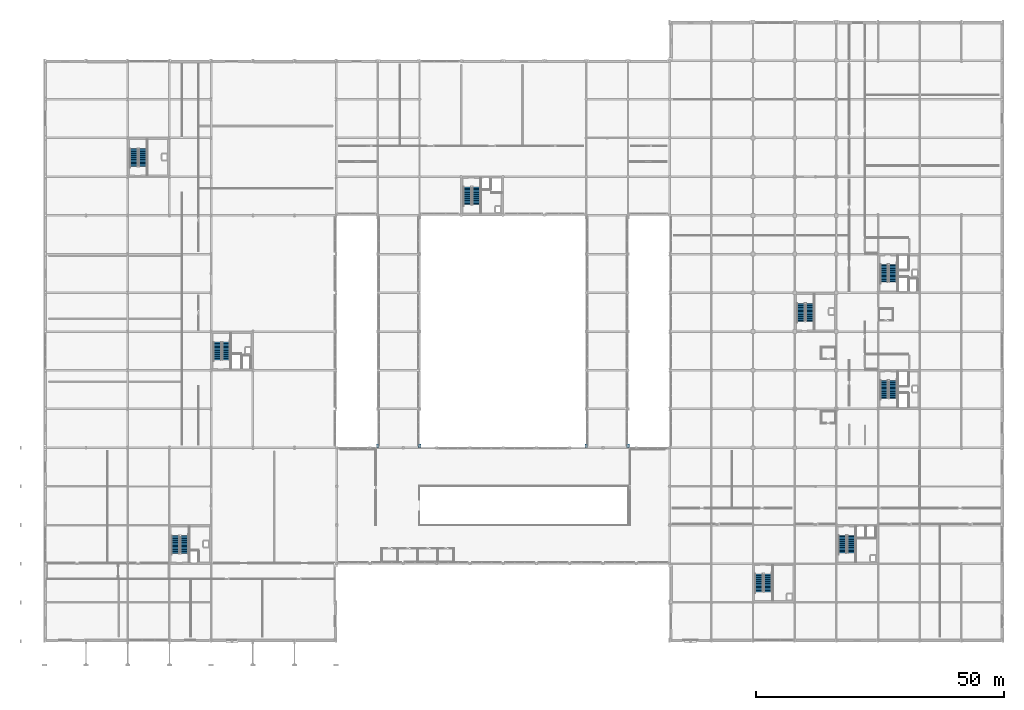
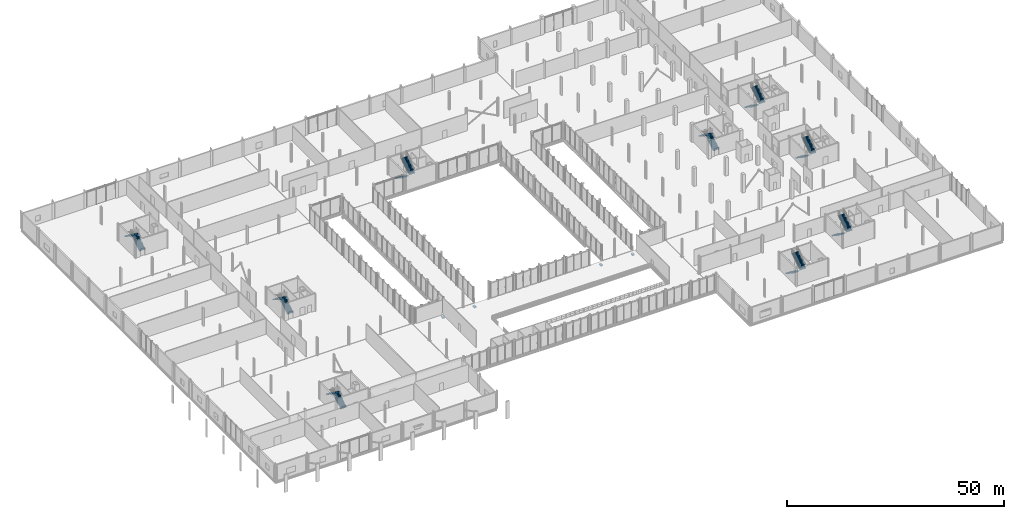
# One storey, part 86 of 105: 18 stair flights, 4 discrete accessories, 9 elements without a shape of their own.
"""IFC4 building model written with IfcOpenShell, lengths in metres."""

from ifc_helpers import new_model, si_unit, direction, frame, origin, origin_2d, place, context, subcontext, project, spatial, polyline, rectangle, outline, extrude, material, layer, layer_set, type_object, element, aggregate, save


model = new_model("IFC4")

# Units and contexts
model_context = context("Model", 3, precision=1e-05, world=origin(), true_north=direction((0.0, 1.0)))
body_context = subcontext(model_context, "Body", "Model", "MODEL_VIEW")
ifc_project = project(units=[si_unit("LENGTHUNIT", "METRE"), si_unit("AREAUNIT", "SQUARE_METRE"), si_unit("VOLUMEUNIT", "CUBIC_METRE"), si_unit("PLANEANGLEUNIT", "RADIAN"), si_unit("MASSUNIT", "GRAM", prefix="KILO")], contexts=[model_context])

# Site, building, storey
site_placement = place(None, origin())
site = spatial("IfcSite", under=ifc_project, at=site_placement, CompositionType="ELEMENT")
building_placement = place(site_placement, origin())
building = spatial("IfcBuilding", under=site, at=building_placement, Name="Nabrawat Pavilion Hospital", CompositionType="ELEMENT")
storey_placement = place(building_placement, frame((0.0, 0.0, 5.10009765625)))
storey = spatial("IfcBuildingStorey", under=building, at=storey_placement, Name="L01", CompositionType="ELEMENT", Elevation=5.10009765625)

# Stair, stair flights
ifc_material_1 = material(Name="Concrete C35/45", Category="concrete")
stair_type_1 = type_object("IfcStairType", Name="Core Dogleg Escape Stair Assembly", PredefinedType="HALF_TURN_STAIR", material=ifc_material_1)
stair_1_placement = place(storey_placement, origin())
stair_1 = element("IfcStair", 1, at=stair_1_placement, inside=storey, type_object=stair_type_1, Name="L01 Emergency Stair and Lift Core 1", PredefinedType="HALF_TURN_STAIR")
stair_flight_type = type_object("IfcStairFlightType", Name="Reinforced Concrete Escape Stair Flight 1600", PredefinedType="STRAIGHT", material=ifc_material_1)
stair_flight_1_placement = place(storey_placement, frame((28.25, 17.669921875, 0.0), z_axis=(0.0, 0.0, 1.0), x_axis=(0.0, 1.0, 0.0)))
stair_flight_1 = element("IfcStairFlight", 2, at=stair_flight_1_placement, type_object=stair_flight_type, Name="ST-01 flight 1", NumberOfRisers=14, NumberOfTreads=13, PredefinedType="STRAIGHT", RiserHeight=0.182142857, TreadLength=0.275, context=body_context, shape_type="SweptSolid", body=[
    extrude(outline(polyline([(-0.008056640625, 0.0), (0.0, 0.0), (0.0, 0.18212890625), (0.27490234375, 0.18212890625), (0.27490234375, 0.3642578125), (0.550048828125, 0.3642578125), (0.550048828125, 0.54638671875), (0.824951171875, 0.54638671875), (0.824951171875, 0.728515625), (1.10009765625, 0.728515625), (1.10009765625, 0.91064453125), (1.375, 0.91064453125), (1.375, 1.0927734375), (1.64990234375, 1.0927734375), (1.64990234375, 1.27490234375), (1.925048828125, 1.27490234375), (1.925048828125, 1.45703125), (2.199951171875, 1.45703125), (2.199951171875, 1.639404296875), (2.47509765625, 1.639404296875), (2.47509765625, 1.821533203125), (2.75, 1.821533203125), (2.75, 2.003662109375), (3.02490234375, 2.003662109375), (3.02490234375, 2.185791015625), (3.300048828125, 2.185791015625), (3.300048828125, 2.367919921875), (3.574951171875, 2.367919921875), (3.574951171875, 2.550048828125), (3.5830078125, 2.550048828125), (3.5830078125, 2.400146484375), (3.574951171875, 2.18798828125), (0.271484375, 0.0), (-0.008056640625, -0.1201171875), (-0.008056640625, 0.0)])), frame((0.0, 0.800048828125, 0.0), z_axis=(0.0, -1.0, 0.0), x_axis=(1.0, 0.0, 0.0)), (0.0, 0.0, 1.0), 1.60009765625),
])
stair_flight_2_placement = place(storey_placement, frame((26.449951171875, 21.2451171875, 2.5498046875), z_axis=(0.0, 0.0, 1.0), x_axis=(0.0, -1.0, 0.0)))
stair_flight_2 = element("IfcStairFlight", 3, at=stair_flight_2_placement, type_object=stair_flight_type, Name="ST-01 flight 2", NumberOfRisers=14, NumberOfTreads=13, PredefinedType="STRAIGHT", RiserHeight=0.182142857, TreadLength=0.275, context=body_context, shape_type="SweptSolid", body=[
    extrude(outline(polyline([(-0.008056640625, 0.0), (0.0, 0.0), (0.0, 0.18212890625), (0.27490234375, 0.18212890625), (0.27490234375, 0.3642578125), (0.550048828125, 0.3642578125), (0.550048828125, 0.54638671875), (0.824951171875, 0.54638671875), (0.824951171875, 0.728515625), (1.10009765625, 0.728515625), (1.10009765625, 0.91064453125), (1.375, 0.91064453125), (1.375, 1.0927734375), (1.64990234375, 1.0927734375), (1.64990234375, 1.27490234375), (1.925048828125, 1.27490234375), (1.925048828125, 1.45703125), (2.199951171875, 1.45703125), (2.199951171875, 1.639404296875), (2.47509765625, 1.639404296875), (2.47509765625, 1.821533203125), (2.75, 1.821533203125), (2.75, 2.003662109375), (3.02490234375, 2.003662109375), (3.02490234375, 2.185791015625), (3.300048828125, 2.185791015625), (3.300048828125, 2.367919921875), (3.574951171875, 2.367919921875), (3.574951171875, 2.550048828125), (3.5830078125, 2.550048828125), (3.5830078125, 2.400146484375), (3.574951171875, 2.18798828125), (0.271484375, 0.0), (-0.008056640625, -0.1201171875), (-0.008056640625, 0.0)])), frame((0.0, 0.800048828125, 0.0), z_axis=(0.0, -1.0, 0.0), x_axis=(1.0, 0.0, 0.0)), (0.0, 0.0, 1.0), 1.60009765625),
])
aggregate(stair_1, [stair_flight_1, stair_flight_2])

stair_2_placement = place(storey_placement, origin())
stair_2 = element("IfcStair", 4, at=stair_2_placement, inside=storey, type_object=stair_type_1, Name="L01 Surgical Stair and Bed-Lift Core 2", PredefinedType="HALF_TURN_STAIR")
stair_flight_3_placement = place(storey_placement, frame((36.64990234375, 56.669921875, 0.0), z_axis=(0.0, 0.0, 1.0), x_axis=(0.0, 1.0, 0.0)))
stair_flight_3 = element("IfcStairFlight", 5, at=stair_flight_3_placement, type_object=stair_flight_type, Name="ST-02 flight 1", NumberOfRisers=14, NumberOfTreads=13, PredefinedType="STRAIGHT", RiserHeight=0.182142857, TreadLength=0.275, context=body_context, shape_type="SweptSolid", body=[
    extrude(outline(polyline([(-0.008056640625, 0.0), (0.0, 0.0), (0.0, 0.18212890625), (0.27490234375, 0.18212890625), (0.27490234375, 0.3642578125), (0.550048828125, 0.3642578125), (0.550048828125, 0.54638671875), (0.824951171875, 0.54638671875), (0.824951171875, 0.728515625), (1.10009765625, 0.728515625), (1.10009765625, 0.91064453125), (1.375, 0.91064453125), (1.375, 1.0927734375), (1.64990234375, 1.0927734375), (1.64990234375, 1.27490234375), (1.925048828125, 1.27490234375), (1.925048828125, 1.45703125), (2.199951171875, 1.45703125), (2.199951171875, 1.639404296875), (2.47509765625, 1.639404296875), (2.47509765625, 1.821533203125), (2.75, 1.821533203125), (2.75, 2.003662109375), (3.02490234375, 2.003662109375), (3.02490234375, 2.185791015625), (3.300048828125, 2.185791015625), (3.300048828125, 2.367919921875), (3.574951171875, 2.367919921875), (3.574951171875, 2.550048828125), (3.5830078125, 2.550048828125), (3.5830078125, 2.400146484375), (3.574951171875, 2.18798828125), (0.271484375, 0.0), (-0.008056640625, -0.1201171875), (-0.008056640625, 0.0)])), frame((0.0, 0.800048828125, 0.0), z_axis=(0.0, -1.0, 0.0), x_axis=(1.0, 0.0, 0.0)), (0.0, 0.0, 1.0), 1.60009765625),
])
stair_flight_4_placement = place(storey_placement, frame((34.85009765625, 60.2451171875, 2.5498046875), z_axis=(0.0, 0.0, 1.0), x_axis=(0.0, -1.0, 0.0)))
stair_flight_4 = element("IfcStairFlight", 6, at=stair_flight_4_placement, type_object=stair_flight_type, Name="ST-02 flight 2", NumberOfRisers=14, NumberOfTreads=13, PredefinedType="STRAIGHT", RiserHeight=0.182142857, TreadLength=0.275, context=body_context, shape_type="SweptSolid", body=[
    extrude(outline(polyline([(-0.008056640625, 0.0), (0.0, 0.0), (0.0, 0.18212890625), (0.27490234375, 0.18212890625), (0.27490234375, 0.3642578125), (0.550048828125, 0.3642578125), (0.550048828125, 0.54638671875), (0.824951171875, 0.54638671875), (0.824951171875, 0.728515625), (1.10009765625, 0.728515625), (1.10009765625, 0.91064453125), (1.375, 0.91064453125), (1.375, 1.0927734375), (1.64990234375, 1.0927734375), (1.64990234375, 1.27490234375), (1.925048828125, 1.27490234375), (1.925048828125, 1.45703125), (2.199951171875, 1.45703125), (2.199951171875, 1.639404296875), (2.47509765625, 1.639404296875), (2.47509765625, 1.821533203125), (2.75, 1.821533203125), (2.75, 2.003662109375), (3.02490234375, 2.003662109375), (3.02490234375, 2.185791015625), (3.300048828125, 2.185791015625), (3.300048828125, 2.367919921875), (3.574951171875, 2.367919921875), (3.574951171875, 2.550048828125), (3.5830078125, 2.550048828125), (3.5830078125, 2.400146484375), (3.574951171875, 2.18798828125), (0.271484375, 0.0), (-0.008056640625, -0.1201171875), (-0.008056640625, 0.0)])), frame((0.0, 0.800048828125, 0.0), z_axis=(0.0, -1.0, 0.0), x_axis=(1.0, 0.0, 0.0)), (0.0, 0.0, 1.0), 1.60009765625),
])
aggregate(stair_2, [stair_flight_3, stair_flight_4])

stair_3_placement = place(storey_placement, origin())
stair_3 = element("IfcStair", 7, at=stair_3_placement, inside=storey, type_object=stair_type_1, Name="L01 Diagnostic and Main Hall Core 3", PredefinedType="HALF_TURN_STAIR")
stair_flight_5_placement = place(storey_placement, frame((85.25, 91.530029296875, 0.0), z_axis=(0.0, 0.0, 1.0), x_axis=(0.0, -1.0, 0.0)))
stair_flight_5 = element("IfcStairFlight", 8, at=stair_flight_5_placement, type_object=stair_flight_type, Name="ST-03 flight 1", NumberOfRisers=14, NumberOfTreads=13, PredefinedType="STRAIGHT", RiserHeight=0.182142857, TreadLength=0.275, context=body_context, shape_type="SweptSolid", body=[
    extrude(outline(polyline([(-0.008056640625, 0.0), (0.0, 0.0), (0.0, 0.18212890625), (0.27490234375, 0.18212890625), (0.27490234375, 0.3642578125), (0.550048828125, 0.3642578125), (0.550048828125, 0.54638671875), (0.824951171875, 0.54638671875), (0.824951171875, 0.728515625), (1.10009765625, 0.728515625), (1.10009765625, 0.91064453125), (1.375, 0.91064453125), (1.375, 1.0927734375), (1.64990234375, 1.0927734375), (1.64990234375, 1.27490234375), (1.925048828125, 1.27490234375), (1.925048828125, 1.45703125), (2.199951171875, 1.45703125), (2.199951171875, 1.639404296875), (2.47509765625, 1.639404296875), (2.47509765625, 1.821533203125), (2.75, 1.821533203125), (2.75, 2.003662109375), (3.02490234375, 2.003662109375), (3.02490234375, 2.185791015625), (3.300048828125, 2.185791015625), (3.300048828125, 2.367919921875), (3.574951171875, 2.367919921875), (3.574951171875, 2.550048828125), (3.5830078125, 2.550048828125), (3.5830078125, 2.400146484375), (3.574951171875, 2.18798828125), (0.271484375, 0.0), (-0.008056640625, -0.1201171875), (-0.008056640625, 0.0)])), frame((0.0, 0.800048828125, 0.0), z_axis=(0.0, -1.0, 0.0), x_axis=(1.0, 0.0, 0.0)), (0.0, 0.0, 1.0), 1.60009765625),
])
stair_flight_6_placement = place(storey_placement, frame((87.050048828125, 87.955078125, 2.5498046875), z_axis=(0.0, 0.0, 1.0), x_axis=(0.0, 1.0, 0.0)))
stair_flight_6 = element("IfcStairFlight", 9, at=stair_flight_6_placement, type_object=stair_flight_type, Name="ST-03 flight 2", NumberOfRisers=14, NumberOfTreads=13, PredefinedType="STRAIGHT", RiserHeight=0.182142857, TreadLength=0.275, context=body_context, shape_type="SweptSolid", body=[
    extrude(outline(polyline([(-0.008056640625, 0.0), (0.0, 0.0), (0.0, 0.18212890625), (0.27490234375, 0.18212890625), (0.27490234375, 0.3642578125), (0.550048828125, 0.3642578125), (0.550048828125, 0.54638671875), (0.824951171875, 0.54638671875), (0.824951171875, 0.728515625), (1.10009765625, 0.728515625), (1.10009765625, 0.91064453125), (1.375, 0.91064453125), (1.375, 1.0927734375), (1.64990234375, 1.0927734375), (1.64990234375, 1.27490234375), (1.925048828125, 1.27490234375), (1.925048828125, 1.45703125), (2.199951171875, 1.45703125), (2.199951171875, 1.639404296875), (2.47509765625, 1.639404296875), (2.47509765625, 1.821533203125), (2.75, 1.821533203125), (2.75, 2.003662109375), (3.02490234375, 2.003662109375), (3.02490234375, 2.185791015625), (3.300048828125, 2.185791015625), (3.300048828125, 2.367919921875), (3.574951171875, 2.367919921875), (3.574951171875, 2.550048828125), (3.5830078125, 2.550048828125), (3.5830078125, 2.400146484375), (3.574951171875, 2.18798828125), (0.271484375, 0.0), (-0.008056640625, -0.1201171875), (-0.008056640625, 0.0)])), frame((0.0, 0.800048828125, 0.0), z_axis=(0.0, -1.0, 0.0), x_axis=(1.0, 0.0, 0.0)), (0.0, 0.0, 1.0), 1.60009765625),
])
aggregate(stair_3, [stair_flight_5, stair_flight_6])

stair_4_placement = place(storey_placement, origin())
stair_4 = element("IfcStair", 10, at=stair_4_placement, inside=storey, type_object=stair_type_1, Name="L01 Outpatient Clinics Core 4", PredefinedType="HALF_TURN_STAIR")
stair_flight_7_placement = place(storey_placement, frame((160.85009765625, 21.330078125, 0.0), z_axis=(0.0, 0.0, 1.0), x_axis=(0.0, -1.0, 0.0)))
stair_flight_7 = element("IfcStairFlight", 11, at=stair_flight_7_placement, type_object=stair_flight_type, Name="ST-04 flight 1", NumberOfRisers=14, NumberOfTreads=13, PredefinedType="STRAIGHT", RiserHeight=0.182142857, TreadLength=0.275, context=body_context, shape_type="SweptSolid", body=[
    extrude(outline(polyline([(-0.008056640625, 0.0), (0.0, 0.0), (0.0, 0.18212890625), (0.27490234375, 0.18212890625), (0.27490234375, 0.3642578125), (0.550048828125, 0.3642578125), (0.550048828125, 0.54638671875), (0.824951171875, 0.54638671875), (0.824951171875, 0.728515625), (1.10009765625, 0.728515625), (1.10009765625, 0.91064453125), (1.375, 0.91064453125), (1.375, 1.0927734375), (1.64990234375, 1.0927734375), (1.64990234375, 1.27490234375), (1.925048828125, 1.27490234375), (1.925048828125, 1.45703125), (2.199951171875, 1.45703125), (2.199951171875, 1.639404296875), (2.47509765625, 1.639404296875), (2.47509765625, 1.821533203125), (2.75, 1.821533203125), (2.75, 2.003662109375), (3.02490234375, 2.003662109375), (3.02490234375, 2.185791015625), (3.300048828125, 2.185791015625), (3.300048828125, 2.367919921875), (3.574951171875, 2.367919921875), (3.574951171875, 2.550048828125), (3.5830078125, 2.550048828125), (3.5830078125, 2.400146484375), (3.574951171875, 2.18798828125), (0.271484375, 0.0), (-0.008056640625, -0.1201171875), (-0.008056640625, 0.0)])), frame((0.0, 0.800048828125, 0.0), z_axis=(0.0, -1.0, 0.0), x_axis=(1.0, 0.0, 0.0)), (0.0, 0.0, 1.0), 1.60009765625),
])
stair_flight_8_placement = place(storey_placement, frame((162.64990234375, 17.7548828125, 2.5498046875), z_axis=(0.0, 0.0, 1.0), x_axis=(0.0, 1.0, 0.0)))
stair_flight_8 = element("IfcStairFlight", 12, at=stair_flight_8_placement, type_object=stair_flight_type, Name="ST-04 flight 2", NumberOfRisers=14, NumberOfTreads=13, PredefinedType="STRAIGHT", RiserHeight=0.182142857, TreadLength=0.275, context=body_context, shape_type="SweptSolid", body=[
    extrude(outline(polyline([(-0.008056640625, 0.0), (0.0, 0.0), (0.0, 0.18212890625), (0.27490234375, 0.18212890625), (0.27490234375, 0.3642578125), (0.550048828125, 0.3642578125), (0.550048828125, 0.54638671875), (0.824951171875, 0.54638671875), (0.824951171875, 0.728515625), (1.10009765625, 0.728515625), (1.10009765625, 0.91064453125), (1.375, 0.91064453125), (1.375, 1.0927734375), (1.64990234375, 1.0927734375), (1.64990234375, 1.27490234375), (1.925048828125, 1.27490234375), (1.925048828125, 1.45703125), (2.199951171875, 1.45703125), (2.199951171875, 1.639404296875), (2.47509765625, 1.639404296875), (2.47509765625, 1.821533203125), (2.75, 1.821533203125), (2.75, 2.003662109375), (3.02490234375, 2.003662109375), (3.02490234375, 2.185791015625), (3.300048828125, 2.185791015625), (3.300048828125, 2.367919921875), (3.574951171875, 2.367919921875), (3.574951171875, 2.550048828125), (3.5830078125, 2.550048828125), (3.5830078125, 2.400146484375), (3.574951171875, 2.18798828125), (0.271484375, 0.0), (-0.008056640625, -0.1201171875), (-0.008056640625, 0.0)])), frame((0.0, 0.800048828125, 0.0), z_axis=(0.0, -1.0, 0.0), x_axis=(1.0, 0.0, 0.0)), (0.0, 0.0, 1.0), 1.60009765625),
])
aggregate(stair_4, [stair_flight_7, stair_flight_8])

stair_type_2 = type_object("IfcStairType", Name="Ward Upper Dogleg Escape Stair Assembly", PredefinedType="HALF_TURN_STAIR", material=ifc_material_1)
stair_5_placement = place(storey_placement, origin())
stair_5 = element("IfcStair", 13, at=stair_5_placement, inside=storey, type_object=stair_type_2, Name="L01 Inpatient South Firefighting Core 5", PredefinedType="HALF_TURN_STAIR")
stair_flight_9_placement = place(storey_placement, frame((169.25, 52.530029296875, 0.0), z_axis=(0.0, 0.0, 1.0), x_axis=(0.0, -1.0, 0.0)))
stair_flight_9 = element("IfcStairFlight", 14, at=stair_flight_9_placement, type_object=stair_flight_type, Name="ST-05 flight 1", NumberOfRisers=14, NumberOfTreads=13, PredefinedType="STRAIGHT", RiserHeight=0.182142857, TreadLength=0.275, context=body_context, shape_type="SweptSolid", body=[
    extrude(outline(polyline([(-0.008056640625, 0.0), (0.0, 0.0), (0.0, 0.18212890625), (0.27490234375, 0.18212890625), (0.27490234375, 0.3642578125), (0.550048828125, 0.3642578125), (0.550048828125, 0.54638671875), (0.824951171875, 0.54638671875), (0.824951171875, 0.728515625), (1.10009765625, 0.728515625), (1.10009765625, 0.91064453125), (1.375, 0.91064453125), (1.375, 1.0927734375), (1.64990234375, 1.0927734375), (1.64990234375, 1.27490234375), (1.925048828125, 1.27490234375), (1.925048828125, 1.45703125), (2.199951171875, 1.45703125), (2.199951171875, 1.639404296875), (2.47509765625, 1.639404296875), (2.47509765625, 1.821533203125), (2.75, 1.821533203125), (2.75, 2.003662109375), (3.02490234375, 2.003662109375), (3.02490234375, 2.185791015625), (3.300048828125, 2.185791015625), (3.300048828125, 2.367919921875), (3.574951171875, 2.367919921875), (3.574951171875, 2.550048828125), (3.5830078125, 2.550048828125), (3.5830078125, 2.400146484375), (3.574951171875, 2.18798828125), (0.271484375, 0.0), (-0.008056640625, -0.1201171875), (-0.008056640625, 0.0)])), frame((0.0, 0.800048828125, 0.0), z_axis=(0.0, -1.0, 0.0), x_axis=(1.0, 0.0, 0.0)), (0.0, 0.0, 1.0), 1.60009765625),
])
stair_flight_10_placement = place(storey_placement, frame((171.050048828125, 48.955078125, 2.5498046875), z_axis=(0.0, 0.0, 1.0), x_axis=(0.0, 1.0, 0.0)))
stair_flight_10 = element("IfcStairFlight", 15, at=stair_flight_10_placement, type_object=stair_flight_type, Name="ST-05 flight 2", NumberOfRisers=14, NumberOfTreads=13, PredefinedType="STRAIGHT", RiserHeight=0.182142857, TreadLength=0.275, context=body_context, shape_type="SweptSolid", body=[
    extrude(outline(polyline([(-0.008056640625, 0.0), (0.0, 0.0), (0.0, 0.18212890625), (0.27490234375, 0.18212890625), (0.27490234375, 0.3642578125), (0.550048828125, 0.3642578125), (0.550048828125, 0.54638671875), (0.824951171875, 0.54638671875), (0.824951171875, 0.728515625), (1.10009765625, 0.728515625), (1.10009765625, 0.91064453125), (1.375, 0.91064453125), (1.375, 1.0927734375), (1.64990234375, 1.0927734375), (1.64990234375, 1.27490234375), (1.925048828125, 1.27490234375), (1.925048828125, 1.45703125), (2.199951171875, 1.45703125), (2.199951171875, 1.639404296875), (2.47509765625, 1.639404296875), (2.47509765625, 1.821533203125), (2.75, 1.821533203125), (2.75, 2.003662109375), (3.02490234375, 2.003662109375), (3.02490234375, 2.185791015625), (3.300048828125, 2.185791015625), (3.300048828125, 2.367919921875), (3.574951171875, 2.367919921875), (3.574951171875, 2.550048828125), (3.5830078125, 2.550048828125), (3.5830078125, 2.400146484375), (3.574951171875, 2.18798828125), (0.271484375, 0.0), (-0.008056640625, -0.1201171875), (-0.008056640625, 0.0)])), frame((0.0, 0.800048828125, 0.0), z_axis=(0.0, -1.0, 0.0), x_axis=(1.0, 0.0, 0.0)), (0.0, 0.0, 1.0), 1.60009765625),
])
aggregate(stair_5, [stair_flight_9, stair_flight_10])

stair_6_placement = place(storey_placement, origin())
stair_6 = element("IfcStair", 16, at=stair_6_placement, inside=storey, type_object=stair_type_2, Name="L01 Inpatient North Firefighting Core 6", PredefinedType="HALF_TURN_STAIR")
stair_flight_11_placement = place(storey_placement, frame((169.25, 75.929931640625, 0.0), z_axis=(0.0, 0.0, 1.0), x_axis=(0.0, -1.0, 0.0)))
stair_flight_11 = element("IfcStairFlight", 17, at=stair_flight_11_placement, type_object=stair_flight_type, Name="ST-06 flight 1", NumberOfRisers=14, NumberOfTreads=13, PredefinedType="STRAIGHT", RiserHeight=0.182142857, TreadLength=0.275, context=body_context, shape_type="SweptSolid", body=[
    extrude(outline(polyline([(-0.008056640625, 0.0), (0.0, 0.0), (0.0, 0.18212890625), (0.27490234375, 0.18212890625), (0.27490234375, 0.3642578125), (0.550048828125, 0.3642578125), (0.550048828125, 0.54638671875), (0.824951171875, 0.54638671875), (0.824951171875, 0.728515625), (1.10009765625, 0.728515625), (1.10009765625, 0.91064453125), (1.375, 0.91064453125), (1.375, 1.0927734375), (1.64990234375, 1.0927734375), (1.64990234375, 1.27490234375), (1.925048828125, 1.27490234375), (1.925048828125, 1.45703125), (2.199951171875, 1.45703125), (2.199951171875, 1.639404296875), (2.47509765625, 1.639404296875), (2.47509765625, 1.821533203125), (2.75, 1.821533203125), (2.75, 2.003662109375), (3.02490234375, 2.003662109375), (3.02490234375, 2.185791015625), (3.300048828125, 2.185791015625), (3.300048828125, 2.367919921875), (3.574951171875, 2.367919921875), (3.574951171875, 2.550048828125), (3.5830078125, 2.550048828125), (3.5830078125, 2.400146484375), (3.574951171875, 2.18798828125), (0.271484375, 0.0), (-0.008056640625, -0.1201171875), (-0.008056640625, 0.0)])), frame((0.0, 0.800048828125, 0.0), z_axis=(0.0, -1.0, 0.0), x_axis=(1.0, 0.0, 0.0)), (0.0, 0.0, 1.0), 1.60009765625),
])
stair_flight_12_placement = place(storey_placement, frame((171.050048828125, 72.35498046875, 2.5498046875), z_axis=(0.0, 0.0, 1.0), x_axis=(0.0, 1.0, 0.0)))
stair_flight_12 = element("IfcStairFlight", 18, at=stair_flight_12_placement, type_object=stair_flight_type, Name="ST-06 flight 2", NumberOfRisers=14, NumberOfTreads=13, PredefinedType="STRAIGHT", RiserHeight=0.182142857, TreadLength=0.275, context=body_context, shape_type="SweptSolid", body=[
    extrude(outline(polyline([(-0.008056640625, 0.0), (0.0, 0.0), (0.0, 0.18212890625), (0.27490234375, 0.18212890625), (0.27490234375, 0.3642578125), (0.550048828125, 0.3642578125), (0.550048828125, 0.54638671875), (0.824951171875, 0.54638671875), (0.824951171875, 0.728515625), (1.10009765625, 0.728515625), (1.10009765625, 0.91064453125), (1.375, 0.91064453125), (1.375, 1.0927734375), (1.64990234375, 1.0927734375), (1.64990234375, 1.27490234375), (1.925048828125, 1.27490234375), (1.925048828125, 1.45703125), (2.199951171875, 1.45703125), (2.199951171875, 1.639404296875), (2.47509765625, 1.639404296875), (2.47509765625, 1.821533203125), (2.75, 1.821533203125), (2.75, 2.003662109375), (3.02490234375, 2.003662109375), (3.02490234375, 2.185791015625), (3.300048828125, 2.185791015625), (3.300048828125, 2.367919921875), (3.574951171875, 2.367919921875), (3.574951171875, 2.550048828125), (3.5830078125, 2.550048828125), (3.5830078125, 2.400146484375), (3.574951171875, 2.18798828125), (0.271484375, 0.0), (-0.008056640625, -0.1201171875), (-0.008056640625, 0.0)])), frame((0.0, 0.800048828125, 0.0), z_axis=(0.0, -1.0, 0.0), x_axis=(1.0, 0.0, 0.0)), (0.0, 0.0, 1.0), 1.60009765625),
])
aggregate(stair_6, [stair_flight_11, stair_flight_12])

stair_7_placement = place(storey_placement, origin())
stair_7 = element("IfcStair", 19, at=stair_7_placement, inside=storey, type_object=stair_type_1, Name="L01 Surgical North Escape Stair Core 7", PredefinedType="HALF_TURN_STAIR")
stair_flight_13_placement = place(storey_placement, frame((19.85009765625, 95.669921875, 0.0), z_axis=(0.0, 0.0, 1.0), x_axis=(0.0, 1.0, 0.0)))
stair_flight_13 = element("IfcStairFlight", 20, at=stair_flight_13_placement, type_object=stair_flight_type, Name="ST-07 flight 1", NumberOfRisers=14, NumberOfTreads=13, PredefinedType="STRAIGHT", RiserHeight=0.182142857, TreadLength=0.275, context=body_context, shape_type="SweptSolid", body=[
    extrude(outline(polyline([(-0.008056640625, 0.0), (0.0, 0.0), (0.0, 0.18212890625), (0.27490234375, 0.18212890625), (0.27490234375, 0.3642578125), (0.550048828125, 0.3642578125), (0.550048828125, 0.54638671875), (0.824951171875, 0.54638671875), (0.824951171875, 0.728515625), (1.10009765625, 0.728515625), (1.10009765625, 0.91064453125), (1.375, 0.91064453125), (1.375, 1.0927734375), (1.64990234375, 1.0927734375), (1.64990234375, 1.27490234375), (1.925048828125, 1.27490234375), (1.925048828125, 1.45703125), (2.199951171875, 1.45703125), (2.199951171875, 1.639404296875), (2.47509765625, 1.639404296875), (2.47509765625, 1.821533203125), (2.75, 1.821533203125), (2.75, 2.003662109375), (3.02490234375, 2.003662109375), (3.02490234375, 2.185791015625), (3.300048828125, 2.185791015625), (3.300048828125, 2.367919921875), (3.574951171875, 2.367919921875), (3.574951171875, 2.550048828125), (3.5830078125, 2.550048828125), (3.5830078125, 2.400146484375), (3.574951171875, 2.18798828125), (0.271484375, 0.0), (-0.008056640625, -0.1201171875), (-0.008056640625, 0.0)])), frame((0.0, 0.800048828125, 0.0), z_axis=(0.0, -1.0, 0.0), x_axis=(1.0, 0.0, 0.0)), (0.0, 0.0, 1.0), 1.60009765625),
])
stair_flight_14_placement = place(storey_placement, frame((18.050048828125, 99.2451171875, 2.5498046875), z_axis=(0.0, 0.0, 1.0), x_axis=(0.0, -1.0, 0.0)))
stair_flight_14 = element("IfcStairFlight", 21, at=stair_flight_14_placement, type_object=stair_flight_type, Name="ST-07 flight 2", NumberOfRisers=14, NumberOfTreads=13, PredefinedType="STRAIGHT", RiserHeight=0.182142857, TreadLength=0.275, context=body_context, shape_type="SweptSolid", body=[
    extrude(outline(polyline([(-0.008056640625, 0.0), (0.0, 0.0), (0.0, 0.18212890625), (0.27490234375, 0.18212890625), (0.27490234375, 0.3642578125), (0.550048828125, 0.3642578125), (0.550048828125, 0.54638671875), (0.824951171875, 0.54638671875), (0.824951171875, 0.728515625), (1.10009765625, 0.728515625), (1.10009765625, 0.91064453125), (1.375, 0.91064453125), (1.375, 1.0927734375), (1.64990234375, 1.0927734375), (1.64990234375, 1.27490234375), (1.925048828125, 1.27490234375), (1.925048828125, 1.45703125), (2.199951171875, 1.45703125), (2.199951171875, 1.639404296875), (2.47509765625, 1.639404296875), (2.47509765625, 1.821533203125), (2.75, 1.821533203125), (2.75, 2.003662109375), (3.02490234375, 2.003662109375), (3.02490234375, 2.185791015625), (3.300048828125, 2.185791015625), (3.300048828125, 2.367919921875), (3.574951171875, 2.367919921875), (3.574951171875, 2.550048828125), (3.5830078125, 2.550048828125), (3.5830078125, 2.400146484375), (3.574951171875, 2.18798828125), (0.271484375, 0.0), (-0.008056640625, -0.1201171875), (-0.008056640625, 0.0)])), frame((0.0, 0.800048828125, 0.0), z_axis=(0.0, -1.0, 0.0), x_axis=(1.0, 0.0, 0.0)), (0.0, 0.0, 1.0), 1.60009765625),
])
aggregate(stair_7, [stair_flight_13, stair_flight_14])

stair_8_placement = place(storey_placement, origin())
stair_8 = element("IfcStair", 22, at=stair_8_placement, inside=storey, type_object=stair_type_1, Name="L01 Outpatient West Escape Stair Core 8", PredefinedType="HALF_TURN_STAIR")
stair_flight_15_placement = place(storey_placement, frame((144.050048828125, 13.530029296875, 0.0), z_axis=(0.0, 0.0, 1.0), x_axis=(0.0, -1.0, 0.0)))
stair_flight_15 = element("IfcStairFlight", 23, at=stair_flight_15_placement, type_object=stair_flight_type, Name="ST-08 flight 1", NumberOfRisers=14, NumberOfTreads=13, PredefinedType="STRAIGHT", RiserHeight=0.182142857, TreadLength=0.275, context=body_context, shape_type="SweptSolid", body=[
    extrude(outline(polyline([(-0.008056640625, 0.0), (0.0, 0.0), (0.0, 0.18212890625), (0.27490234375, 0.18212890625), (0.27490234375, 0.3642578125), (0.550048828125, 0.3642578125), (0.550048828125, 0.54638671875), (0.824951171875, 0.54638671875), (0.824951171875, 0.728515625), (1.10009765625, 0.728515625), (1.10009765625, 0.91064453125), (1.375, 0.91064453125), (1.375, 1.0927734375), (1.64990234375, 1.0927734375), (1.64990234375, 1.27490234375), (1.925048828125, 1.27490234375), (1.925048828125, 1.45703125), (2.199951171875, 1.45703125), (2.199951171875, 1.639404296875), (2.47509765625, 1.639404296875), (2.47509765625, 1.821533203125), (2.75, 1.821533203125), (2.75, 2.003662109375), (3.02490234375, 2.003662109375), (3.02490234375, 2.185791015625), (3.300048828125, 2.185791015625), (3.300048828125, 2.367919921875), (3.574951171875, 2.367919921875), (3.574951171875, 2.550048828125), (3.5830078125, 2.550048828125), (3.5830078125, 2.400146484375), (3.574951171875, 2.18798828125), (0.271484375, 0.0), (-0.008056640625, -0.1201171875), (-0.008056640625, 0.0)])), frame((0.0, 0.800048828125, 0.0), z_axis=(0.0, -1.0, 0.0), x_axis=(1.0, 0.0, 0.0)), (0.0, 0.0, 1.0), 1.60009765625),
])
stair_flight_16_placement = place(storey_placement, frame((145.85009765625, 9.955078125, 2.5498046875), z_axis=(0.0, 0.0, 1.0), x_axis=(0.0, 1.0, 0.0)))
stair_flight_16 = element("IfcStairFlight", 24, at=stair_flight_16_placement, type_object=stair_flight_type, Name="ST-08 flight 2", NumberOfRisers=14, NumberOfTreads=13, PredefinedType="STRAIGHT", RiserHeight=0.182142857, TreadLength=0.275, context=body_context, shape_type="SweptSolid", body=[
    extrude(outline(polyline([(-0.008056640625, 0.0), (0.0, 0.0), (0.0, 0.18212890625), (0.27490234375, 0.18212890625), (0.27490234375, 0.3642578125), (0.550048828125, 0.3642578125), (0.550048828125, 0.54638671875), (0.824951171875, 0.54638671875), (0.824951171875, 0.728515625), (1.10009765625, 0.728515625), (1.10009765625, 0.91064453125), (1.375, 0.91064453125), (1.375, 1.0927734375), (1.64990234375, 1.0927734375), (1.64990234375, 1.27490234375), (1.925048828125, 1.27490234375), (1.925048828125, 1.45703125), (2.199951171875, 1.45703125), (2.199951171875, 1.639404296875), (2.47509765625, 1.639404296875), (2.47509765625, 1.821533203125), (2.75, 1.821533203125), (2.75, 2.003662109375), (3.02490234375, 2.003662109375), (3.02490234375, 2.185791015625), (3.300048828125, 2.185791015625), (3.300048828125, 2.367919921875), (3.574951171875, 2.367919921875), (3.574951171875, 2.550048828125), (3.5830078125, 2.550048828125), (3.5830078125, 2.400146484375), (3.574951171875, 2.18798828125), (0.271484375, 0.0), (-0.008056640625, -0.1201171875), (-0.008056640625, 0.0)])), frame((0.0, 0.800048828125, 0.0), z_axis=(0.0, -1.0, 0.0), x_axis=(1.0, 0.0, 0.0)), (0.0, 0.0, 1.0), 1.60009765625),
])
aggregate(stair_8, [stair_flight_15, stair_flight_16])

stair_9_placement = place(storey_placement, origin())
stair_9 = element("IfcStair", 25, at=stair_9_placement, inside=storey, type_object=stair_type_2, Name="L01 Inpatient West Escape Stair Core 9", PredefinedType="HALF_TURN_STAIR")
stair_flight_17_placement = place(storey_placement, frame((154.25, 64.469970703125, 0.0), z_axis=(0.0, 0.0, 1.0), x_axis=(0.0, 1.0, 0.0)))
stair_flight_17 = element("IfcStairFlight", 26, at=stair_flight_17_placement, type_object=stair_flight_type, Name="ST-09 flight 1", NumberOfRisers=14, NumberOfTreads=13, PredefinedType="STRAIGHT", RiserHeight=0.182142857, TreadLength=0.275, context=body_context, shape_type="SweptSolid", body=[
    extrude(outline(polyline([(-0.008056640625, 0.0), (0.0, 0.0), (0.0, 0.18212890625), (0.27490234375, 0.18212890625), (0.27490234375, 0.3642578125), (0.550048828125, 0.3642578125), (0.550048828125, 0.54638671875), (0.824951171875, 0.54638671875), (0.824951171875, 0.728515625), (1.10009765625, 0.728515625), (1.10009765625, 0.91064453125), (1.375, 0.91064453125), (1.375, 1.0927734375), (1.64990234375, 1.0927734375), (1.64990234375, 1.27490234375), (1.925048828125, 1.27490234375), (1.925048828125, 1.45703125), (2.199951171875, 1.45703125), (2.199951171875, 1.639404296875), (2.47509765625, 1.639404296875), (2.47509765625, 1.821533203125), (2.75, 1.821533203125), (2.75, 2.003662109375), (3.02490234375, 2.003662109375), (3.02490234375, 2.185791015625), (3.300048828125, 2.185791015625), (3.300048828125, 2.367919921875), (3.574951171875, 2.367919921875), (3.574951171875, 2.550048828125), (3.5830078125, 2.550048828125), (3.5830078125, 2.400146484375), (3.574951171875, 2.18798828125), (0.271484375, 0.0), (-0.008056640625, -0.1201171875), (-0.008056640625, 0.0)])), frame((0.0, 0.800048828125, 0.0), z_axis=(0.0, -1.0, 0.0), x_axis=(1.0, 0.0, 0.0)), (0.0, 0.0, 1.0), 1.60009765625),
])
stair_flight_18_placement = place(storey_placement, frame((152.449951171875, 68.044921875, 2.5498046875), z_axis=(0.0, 0.0, 1.0), x_axis=(0.0, -1.0, 0.0)))
stair_flight_18 = element("IfcStairFlight", 27, at=stair_flight_18_placement, type_object=stair_flight_type, Name="ST-09 flight 2", NumberOfRisers=14, NumberOfTreads=13, PredefinedType="STRAIGHT", RiserHeight=0.182142857, TreadLength=0.275, context=body_context, shape_type="SweptSolid", body=[
    extrude(outline(polyline([(-0.008056640625, 0.0), (0.0, 0.0), (0.0, 0.18212890625), (0.27490234375, 0.18212890625), (0.27490234375, 0.3642578125), (0.550048828125, 0.3642578125), (0.550048828125, 0.54638671875), (0.824951171875, 0.54638671875), (0.824951171875, 0.728515625), (1.10009765625, 0.728515625), (1.10009765625, 0.91064453125), (1.375, 0.91064453125), (1.375, 1.0927734375), (1.64990234375, 1.0927734375), (1.64990234375, 1.27490234375), (1.925048828125, 1.27490234375), (1.925048828125, 1.45703125), (2.199951171875, 1.45703125), (2.199951171875, 1.639404296875), (2.47509765625, 1.639404296875), (2.47509765625, 1.821533203125), (2.75, 1.821533203125), (2.75, 2.003662109375), (3.02490234375, 2.003662109375), (3.02490234375, 2.185791015625), (3.300048828125, 2.185791015625), (3.300048828125, 2.367919921875), (3.574951171875, 2.367919921875), (3.574951171875, 2.550048828125), (3.5830078125, 2.550048828125), (3.5830078125, 2.400146484375), (3.574951171875, 2.18798828125), (0.271484375, 0.0), (-0.008056640625, -0.1201171875), (-0.008056640625, 0.0)])), frame((0.0, 0.800048828125, 0.0), z_axis=(0.0, -1.0, 0.0), x_axis=(1.0, 0.0, 0.0)), (0.0, 0.0, 1.0), 1.60009765625),
])
aggregate(stair_9, [stair_flight_17, stair_flight_18])

# Discrete accessories
ifc_material_2 = material(Name="Concrete C40/50", Category="concrete")
ifc_layer = layer(ifc_material_2, 0.419921875, Name="Concrete C40/50")
ifc_layer_set = layer_set([ifc_layer], Name="Concrete C40/50")
discrete_accessory_type = type_object("IfcDiscreteAccessoryType", Name="Reinforced Concrete Bridge Bearing Corbel Seat 750", PredefinedType="BRACKET", material=ifc_layer_set)
for number, where, z_axis, x_axis, name in (
    (28, (67.199951171875, 39.375, -1.5), (0.0, 0.0, 1.0), (1.0, 0.0, 0.0), "L01 Courtyard Bridge 750mm Bearing Seat Corbel S 01"),
    (29, (75.60009765625, 39.375, -1.5), (0.0, 0.0, 1.0), (1.0, 0.0, 0.0), "L01 Courtyard Bridge 750mm Bearing Seat Corbel S 03"),
    (30, (109.199951171875, 39.375, -1.5), (0.0, 0.0, 1.0), (1.0, 0.0, 0.0), "L01 Courtyard Bridge 750mm Bearing Seat Corbel S 05"),
    (31, (117.60009765625, 39.375, -1.5), (0.0, 0.0, 1.0), (1.0, 0.0, 0.0), "L01 Courtyard Bridge 750mm Bearing Seat Corbel S 07"),
):
    element("IfcDiscreteAccessory", number, at=place(storey_placement, frame(where, z_axis=z_axis, x_axis=x_axis)), inside=storey, type_object=discrete_accessory_type, Name=name, PredefinedType="BRACKET", context=body_context, shape_type="SweptSolid", body=[
        extrude(rectangle(XDim=0.550048828125, YDim=0.75, at=origin_2d()), origin(), (0.0, 0.0, 1.0), 0.419921875),
    ])

save(model, "model.ifc")
